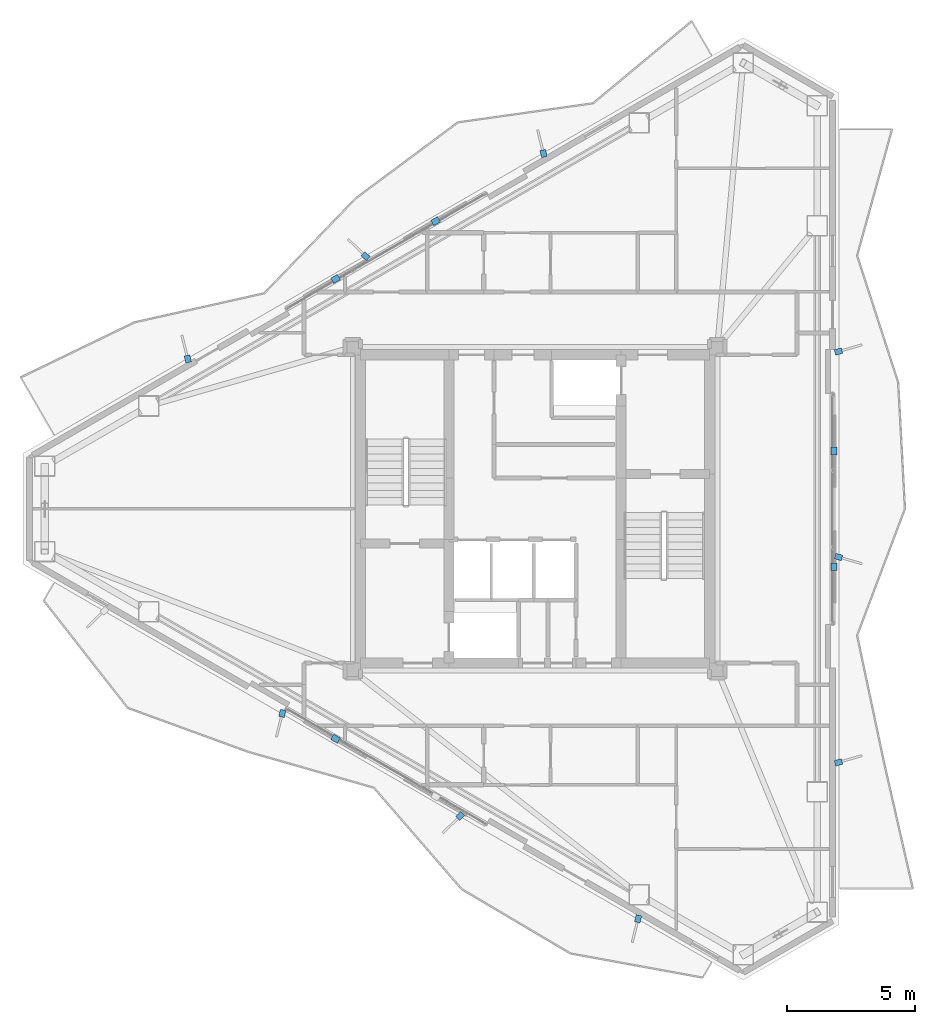
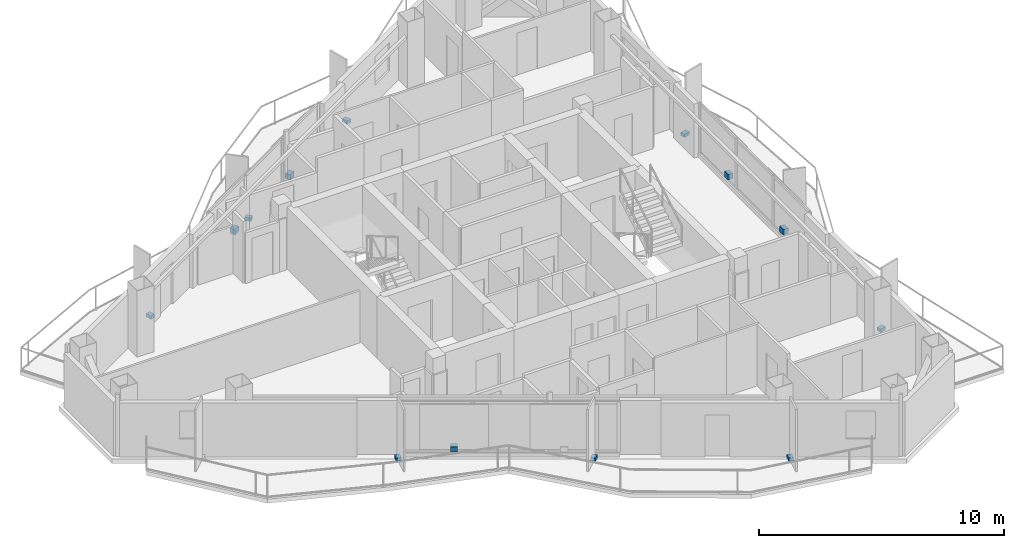
# One storey, part 20 of 22: 14 discrete accessories.
"""IFC4 building model written with IfcOpenShell, lengths in metres."""

import ifcopenshell
import ifcopenshell.guid

model = None  # the IFC model being written
_history = None  # IfcOwnerHistory: only IFC2X3 demands one
_inside = {}  # id of a spatial element -> (the spatial element, [elements in it])
_under = {}  # id of a project, library or spatial element -> (it, [spatial elements below it])
_declared = {}  # id of a project -> (the project, [libraries it declares])
_typed = {}  # id of a type object -> (the type object, [elements of that type])
_made_of = {}  # id of a material, layer set ... -> (it, [elements and type objects made of it])


def new_model(schema):
    """Start an empty IFC model of exactly this schema.

    Asked for "IFC4X3", IfcOpenShell would pick the latest addendum, in which some entities
    have other attributes; the version numbers below select the first issue.
    IFC2X3 requires an IfcOwnerHistory on every rooted entity: one is made here for all.
    """
    global model, _history
    if schema == "IFC4X3":
        model = ifcopenshell.file(schema_version=(4, 3, 0, 0))
    else:
        model = ifcopenshell.file(schema=schema)
    _inside.clear()
    _under.clear()
    _declared.clear()
    _typed.clear()
    _made_of.clear()
    _history = None
    if model.schema == "IFC2X3":
        org = make("IfcOrganization", Name="unknown")
        user = make(
            "IfcPersonAndOrganization",
            ThePerson=make("IfcPerson", FamilyName="unknown"),
            TheOrganization=org,
        )
        app = make(
            "IfcApplication",
            ApplicationDeveloper=org,
            Version="unknown",
            ApplicationFullName="unknown",
            ApplicationIdentifier="unknown",
        )
        _history = make(
            "IfcOwnerHistory",
            OwningUser=user,
            OwningApplication=app,
            ChangeAction="ADDED",
            CreationDate=0,
        )
    return model


def make(cls, **values):
    """One entity of the class cls with the attributes given. An attribute that is None is left unset."""
    return model.create_entity(
        cls, **{name: value for name, value in values.items() if value is not None}
    )


def rooted(cls, **values):
    """An entity with a GlobalId (a new one), such as an element, a storey or a relation."""
    return make(cls, GlobalId=ifcopenshell.guid.new(), OwnerHistory=_history, **values)


def si_unit(unit_type, name, prefix=None):
    """IfcSIUnit, for example si_unit("LENGTHUNIT", "METRE", prefix="MILLI")."""
    return make("IfcSIUnit", UnitType=unit_type, Prefix=prefix, Name=name)


def assignment(units):
    """IfcUnitAssignment: the units of a project."""
    return None if units is None else make("IfcUnitAssignment", Units=units)


def point(xyz):
    """IfcCartesianPoint."""
    return None if xyz is None else make("IfcCartesianPoint", Coordinates=xyz)


def direction(xyz):
    """IfcDirection."""
    return None if xyz is None else make("IfcDirection", DirectionRatios=xyz)


def frame(location, z_axis=None, x_axis=None):
    """IfcAxis2Placement3D, a coordinate frame: its origin and axes. An axis left out is left unset."""
    return make(
        "IfcAxis2Placement3D",
        Location=point(location),
        Axis=direction(z_axis),
        RefDirection=direction(x_axis),
    )


def frame_2d(location, x_axis=None):
    """IfcAxis2Placement2D, a coordinate frame in the plane: its origin and x axis."""
    return make(
        "IfcAxis2Placement2D", Location=point(location), RefDirection=direction(x_axis)
    )


def origin():
    """The frame at (0, 0, 0) with its axes left unset."""
    return frame((0.0, 0.0, 0.0))


def origin_2d():
    """The frame at (0, 0) in the plane with its x axis left unset."""
    return frame_2d((0.0, 0.0))


def place(relative_to, where):
    """IfcLocalPlacement: puts the frame where relative to a parent placement (None: the world)."""
    return make(
        "IfcLocalPlacement", PlacementRelTo=relative_to, RelativePlacement=where
    )


def context(
    kind, dimensions, precision=None, world=None, true_north=None, identifier=None
):
    """IfcGeometricRepresentationContext, for example the 3D "Model" context."""
    return make(
        "IfcGeometricRepresentationContext",
        ContextIdentifier=identifier,
        ContextType=kind,
        CoordinateSpaceDimension=dimensions,
        Precision=precision,
        WorldCoordinateSystem=world,
        TrueNorth=true_north,
    )


def subcontext(parent, identifier, kind, view, scale=None):
    """IfcGeometricRepresentationSubContext, for example "Body" below "Model"."""
    return make(
        "IfcGeometricRepresentationSubContext",
        ContextIdentifier=identifier,
        ContextType=kind,
        ParentContext=parent,
        TargetScale=scale,
        TargetView=view,
    )


def project(units=None, contexts=None):
    """IfcProject with its units and contexts."""
    return rooted(
        "IfcProject",
        Name="project",
        RepresentationContexts=contexts,
        UnitsInContext=assignment(units),
    )


def spatial(cls, under=None, at=None, **own):
    """A site, building, storey or space (cls), placed at a placement, below another one or the project."""
    s = rooted(cls, ObjectPlacement=at, **own)
    if under is not None:
        _under.setdefault(under.id(), (under, []))[1].append(s)
    return s


def profile(cls, at=None, kind="AREA", **sizes):
    """A parametric profile (cls). Its sizes go by their IFC names, for example OverallWidth=200.0."""
    return make(cls, ProfileType=kind, Position=at, **sizes)


def rectangle(**sizes):
    """IfcRectangleProfileDef."""
    return profile("IfcRectangleProfileDef", **sizes)


def extrude(swept, where, along, depth):
    """IfcExtrudedAreaSolid: the profile swept, set in the frame where, extruded along a direction by depth."""
    return make(
        "IfcExtrudedAreaSolid",
        SweptArea=swept,
        Position=where,
        ExtrudedDirection=direction(along),
        Depth=depth,
    )


def shape(context_of_items, identifier, shape_type, items):
    """IfcShapeRepresentation: the items that make up one representation, for example the "Body"."""
    return make(
        "IfcShapeRepresentation",
        ContextOfItems=context_of_items,
        RepresentationIdentifier=identifier,
        RepresentationType=shape_type,
        Items=items,
    )


def material(Name=None, Category=None):
    """IfcMaterial."""
    return make("IfcMaterial", Name=Name, Category=Category)


def layer(
    of_material, thickness, ventilated=None, Name=None, Category=None, Priority=None
):
    """IfcMaterialLayer: one layer of a wall or slab, of a material (None: an air gap)."""
    return make(
        "IfcMaterialLayer",
        Material=of_material,
        LayerThickness=thickness,
        IsVentilated=ventilated,
        Name=Name,
        Category=Category,
        Priority=Priority,
    )


def layer_set(layers, Name=None):
    """IfcMaterialLayerSet."""
    return make("IfcMaterialLayerSet", MaterialLayers=layers, LayerSetName=Name)


def made_of(thing, what):
    """Note that an element or type object is made of a material, layer set ...; save() writes the relation."""
    if what is not None:
        _made_of.setdefault(what.id(), (what, []))[1].append(thing)
    return thing


def type_object(cls, material=None, **own):
    """A type object (cls), such as IfcWallType, which elements share."""
    return made_of(rooted(cls, **own), material)


def element(
    cls,
    number,
    at=None,
    inside=None,
    cuts=None,
    type_object=None,
    material=None,
    context=None,
    identifier="Body",
    shape_type=None,
    held_by="IfcProductDefinitionShape",
    body=None,
    shapes=None,
    **own,
):
    """One element of the class cls, such as IfcWall. Its Tag is "e" and its number.

    at: its placement. inside: the storey or other place that contains it. cuts: it is an
    opening in that element (IfcRelVoidsElement). A single representation is given by context,
    identifier, shape_type and body (its items); several are given by shapes. held_by: the class
    of the entity that holds the representations. save() writes the other relations.
    """
    e = rooted(cls, Tag="e%d" % number, ObjectPlacement=at, **own)
    if body is not None:
        shapes = [shape(context, identifier, shape_type, body)]
    if shapes is not None:
        e.Representation = make(held_by, Representations=shapes)
    if inside is not None:
        _inside.setdefault(inside.id(), (inside, []))[1].append(e)
    if cuts is not None:
        rooted(
            "IfcRelVoidsElement", RelatingBuildingElement=cuts, RelatedOpeningElement=e
        )
    if type_object is not None:
        _typed.setdefault(type_object.id(), (type_object, []))[1].append(e)
    return made_of(e, material)


def aggregate(whole, parts):
    """IfcRelAggregates: a whole, such as a stair, and the parts it consists of."""
    return rooted("IfcRelAggregates", RelatingObject=whole, RelatedObjects=parts)


def save(model, path):
    """Write the relations noted so far, then the file.

    IfcRelAggregates (storeys below a building ...), IfcRelContainedInSpatialStructure (elements
    in a storey), IfcRelDefinesByType, IfcRelAssociatesMaterial and IfcRelDeclares: one each for
    every whole, place, type object, material and project.
    """
    for whole, parts in _under.values():
        aggregate(whole, parts)
    for where, things in _inside.values():
        rooted(
            "IfcRelContainedInSpatialStructure",
            RelatedElements=things,
            RelatingStructure=where,
        )
    for kind, things in _typed.values():
        rooted("IfcRelDefinesByType", RelatedObjects=things, RelatingType=kind)
    for what, things in _made_of.values():
        rooted("IfcRelAssociatesMaterial", RelatedObjects=things, RelatingMaterial=what)
    for by, libraries in _declared.values():
        rooted("IfcRelDeclares", RelatingContext=by, RelatedDefinitions=libraries)
    model.write(path)


model = new_model("IFC4")

# Units and contexts
model_context = context("Model", 3, precision=1e-05, world=origin(), true_north=direction((0.0, 1.0)))
body_context = subcontext(model_context, "Body", "Model", "MODEL_VIEW")
ifc_project = project(units=[si_unit("LENGTHUNIT", "METRE"), si_unit("AREAUNIT", "SQUARE_METRE"), si_unit("VOLUMEUNIT", "CUBIC_METRE"), si_unit("PLANEANGLEUNIT", "RADIAN"), si_unit("MASSUNIT", "GRAM", prefix="KILO")], contexts=[model_context])

# Site, building, storey
site_placement = place(None, origin())
site = spatial("IfcSite", under=ifc_project, at=site_placement, CompositionType="ELEMENT")
building_placement = place(site_placement, origin())
building = spatial("IfcBuilding", under=site, at=building_placement, Name="Mersakhor Tower and Convention Hall", CompositionType="ELEMENT")
storey_placement = place(building_placement, frame((0.0, 0.0, 205.199951171875)))
storey = spatial("IfcBuildingStorey", under=building, at=storey_placement, Name="L57", CompositionType="ELEMENT", Elevation=205.199951171875)

# Discrete accessories
ifc_material = material(Name="Galvanised steel bracket", Category="steel")
ifc_layer = layer(ifc_material, 0.02001953125)
ifc_layer_set = layer_set([ifc_layer], Name="Galvanised steel bracket")
discrete_accessory_type = type_object("IfcDiscreteAccessoryType", Name="ACC-BRK-STL", PredefinedType="BRACKET", material=ifc_layer_set)
for number, where, z_axis, x_axis, name in (
    (1, (21.232421875, 35.704345703125, 0.2900390625), (0.0, 0.0, 1.0), (0.866025403784, 0.5, 0.0), "L57 Solar Screen Outrigger Bracket BRK-1-1"),
    (2, (25.129150390625, 37.9541015625, 0.2900390625), (0.0, 0.0, 1.0), (0.866025403784, 0.5, 0.0), "L57 Solar Screen Outrigger Bracket BRK-1-2"),
):
    element("IfcDiscreteAccessory", number, at=place(storey_placement, frame(where, z_axis=z_axis, x_axis=x_axis)), inside=storey, type_object=discrete_accessory_type, Name=name, PredefinedType="BRACKET", context=body_context, shape_type="SweptSolid", body=[
        extrude(rectangle(XDim=0.300048828125, YDim=0.239990234375, at=origin_2d()), origin(), (0.0, 0.0, 1.0), 0.260009765625),
    ])
for number, where, z_axis, x_axis, name in (
    (3, (15.47607421875, 32.588623046875, -0.02001953125), (0.0, 0.0, 1.0), (-0.2419218956, 0.970295726276, 0.0), "L57 Facade Fin Base Cleat Bracket FBRK-1-1"),
    (4, (22.404296875, 36.588623046875, -0.02001953125), (0.0, 0.0, 1.0), (-0.719339800339, 0.694658370459, 0.0), "L57 Facade Fin Base Cleat Bracket FBRK-1-2"),
    (5, (29.33251953125, 40.588623046875, -0.02001953125), (0.0, 0.0, 1.0), (-0.2419218956, 0.970295726276, 0.0), "L57 Facade Fin Base Cleat Bracket FBRK-1-3"),
):
    element("IfcDiscreteAccessory", number, at=place(storey_placement, frame(where, z_axis=z_axis, x_axis=x_axis)), inside=storey, type_object=discrete_accessory_type, Name=name, PredefinedType="BRACKET", context=body_context, shape_type="SweptSolid", body=[
        extrude(rectangle(XDim=0.280029296875, YDim=0.219970703125, at=origin_2d()), origin(), (0.0, 0.0, 1.0), 0.159912109375),
    ])
for number, where, z_axis, x_axis, name in (
    (6, (40.638427734375, 28.999755859375, 0.2900390625), (0.0, 0.0, 1.0), (0.0, -1.0, 0.0), "L57 Solar Screen Outrigger Bracket BRK-2-1"),
    (7, (40.638427734375, 24.500244140625, 0.2900390625), (0.0, 0.0, 1.0), (0.0, -1.0, 0.0), "L57 Solar Screen Outrigger Bracket BRK-2-2"),
):
    element("IfcDiscreteAccessory", number, at=place(storey_placement, frame(where, z_axis=z_axis, x_axis=x_axis)), inside=storey, type_object=discrete_accessory_type, Name=name, PredefinedType="BRACKET", context=body_context, shape_type="SweptSolid", body=[
        extrude(rectangle(XDim=0.300048828125, YDim=0.239990234375, at=origin_2d()), origin(), (0.0, 0.0, 1.0), 0.260009765625),
    ])
for number, where, z_axis, x_axis, name in (
    (8, (40.818359375, 32.8759765625, -0.02001953125), (0.0, 0.0, 1.0), (0.961261695938, 0.275637355817, 0.0), "L57 Facade Fin Base Cleat Bracket FBRK-2-1"),
    (9, (40.818359375, 24.8759765625, -0.02001953125), (0.0, 0.0, 1.0), (0.961261695938, -0.275637355817, 0.0), "L57 Facade Fin Base Cleat Bracket FBRK-2-2"),
    (10, (40.818359375, 16.8759765625, -0.02001953125), (0.0, 0.0, 1.0), (0.961261695938, 0.275637355817, 0.0), "L57 Facade Fin Base Cleat Bracket FBRK-2-3"),
):
    element("IfcDiscreteAccessory", number, at=place(storey_placement, frame(where, z_axis=z_axis, x_axis=x_axis)), inside=storey, type_object=discrete_accessory_type, Name=name, PredefinedType="BRACKET", context=body_context, shape_type="SweptSolid", body=[
        extrude(rectangle(XDim=0.280029296875, YDim=0.219970703125, at=origin_2d()), origin(), (0.0, 0.0, 1.0), 0.159912109375),
    ])
discrete_accessory_placement = place(storey_placement, frame((21.232421875, 17.795654296875, 0.2900390625), z_axis=(0.0, 0.0, 1.0), x_axis=(-0.866025403784, 0.5, 0.0)))
element("IfcDiscreteAccessory", 11, at=discrete_accessory_placement, inside=storey, type_object=discrete_accessory_type, Name="L57 Solar Screen Outrigger Bracket BRK-3-2", PredefinedType="BRACKET", context=body_context, shape_type="SweptSolid", body=[
    extrude(rectangle(XDim=0.300048828125, YDim=0.239990234375, at=origin_2d()), origin(), (0.0, 0.0, 1.0), 0.260009765625),
])
for number, where, z_axis, x_axis, name in (
    (12, (33.014892578125, 10.785400390625, -0.02001953125), (0.0, 0.0, 1.0), (-0.2419218956, -0.970295726276, 0.0), "L57 Facade Fin Base Cleat Bracket FBRK-3-1"),
    (13, (26.086669921875, 14.785400390625, -0.02001953125), (0.0, 0.0, 1.0), (-0.719339800339, -0.694658370459, 0.0), "L57 Facade Fin Base Cleat Bracket FBRK-3-2"),
    (14, (19.158447265625, 18.785400390625, -0.02001953125), (0.0, 0.0, 1.0), (-0.2419218956, -0.970295726276, 0.0), "L57 Facade Fin Base Cleat Bracket FBRK-3-3"),
):
    element("IfcDiscreteAccessory", number, at=place(storey_placement, frame(where, z_axis=z_axis, x_axis=x_axis)), inside=storey, type_object=discrete_accessory_type, Name=name, PredefinedType="BRACKET", context=body_context, shape_type="SweptSolid", body=[
        extrude(rectangle(XDim=0.280029296875, YDim=0.219970703125, at=origin_2d()), origin(), (0.0, 0.0, 1.0), 0.159912109375),
    ])

save(model, "model.ifc")
